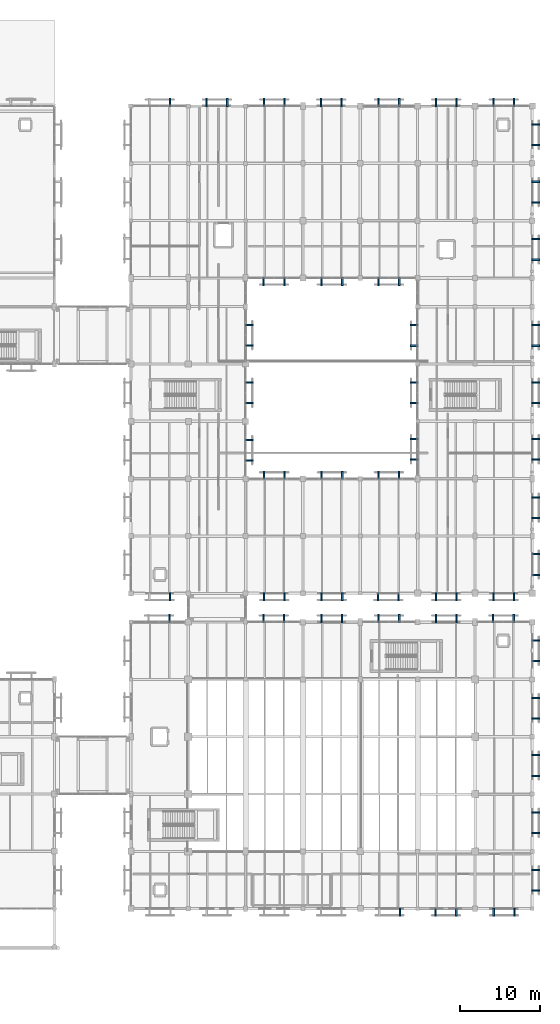
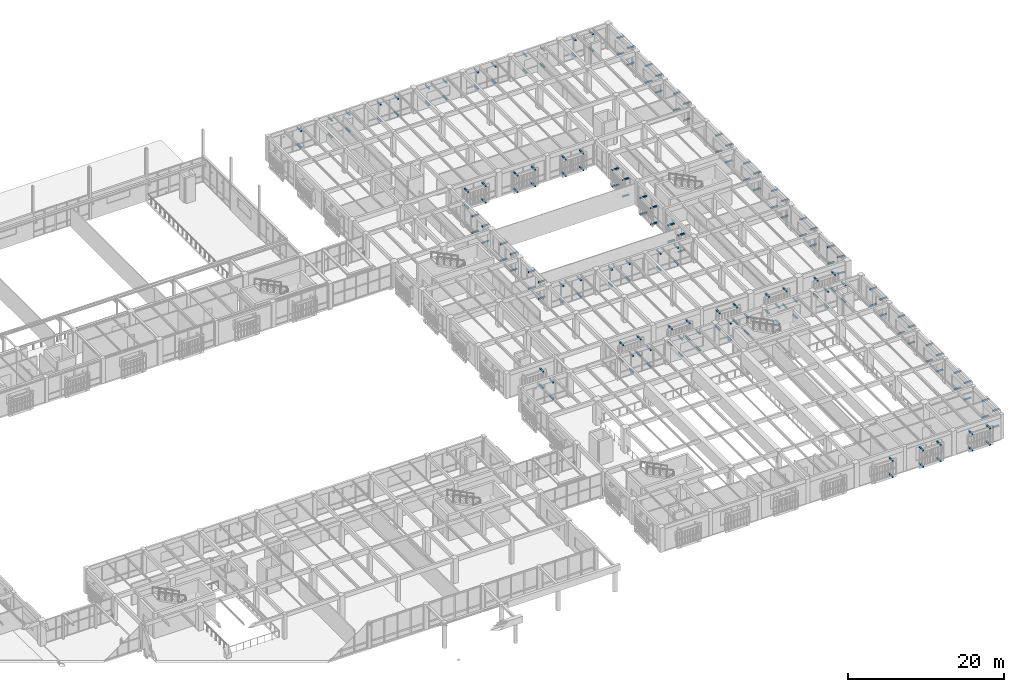
# One storey, part 144 of 170: 180 discrete accessories.
"""IFC4 building model written with IfcOpenShell, lengths in metres."""

from ifc_helpers import new_model, si_unit, direction, frame, origin, origin_2d, place, context, subcontext, project, spatial, rectangle, extrude, material, type_object, element, save


model = new_model("IFC4")

# Units and contexts
model_context = context("Model", 3, precision=1e-05, world=origin(), true_north=direction((0.0, 1.0)))
body_context = subcontext(model_context, "Body", "Model", "MODEL_VIEW")
ifc_project = project(units=[si_unit("LENGTHUNIT", "METRE"), si_unit("AREAUNIT", "SQUARE_METRE"), si_unit("VOLUMEUNIT", "CUBIC_METRE"), si_unit("PLANEANGLEUNIT", "RADIAN"), si_unit("MASSUNIT", "GRAM", prefix="KILO")], contexts=[model_context])

# Site, building, storey
site_placement = place(None, origin())
site = spatial("IfcSite", under=ifc_project, at=site_placement, CompositionType="ELEMENT")
building_placement = place(site_placement, origin())
building = spatial("IfcBuilding", under=site, at=building_placement, Name="Mazaris Harbour Polytechnic", CompositionType="ELEMENT")
storey_placement = place(building_placement, frame((0.0, 0.0, 5.39990234375)))
storey = spatial("IfcBuildingStorey", under=building, at=storey_placement, Name="L01", CompositionType="ELEMENT", Elevation=5.39990234375)

# Discrete accessories
ifc_material = material(Name="Stainless Steel S355", Category="steel")
discrete_accessory_type = type_object("IfcDiscreteAccessoryType", Name="Stainless Screen Outrigger Bracket 200x1020x200", PredefinedType="BRACKET", material=ifc_material)
for number, where, z_axis, x_axis, name in (
    (1, (156.1708984375, 6.760009765625, 0.16015625), (0.0, 0.0, 1.0), (-1.0, 0.0, 0.0), "Screen Outrigger Bracket 193"),
    (2, (156.1708984375, 6.760009765625, 2.68994140625), (0.0, 0.0, 1.0), (-1.0, 0.0, 0.0), "Screen Outrigger Bracket 194"),
    (3, (163.24609375, 6.760009765625, 0.16015625), (0.0, 0.0, 1.0), (-1.0, 0.0, 0.0), "Screen Outrigger Bracket 197"),
    (4, (163.24609375, 6.760009765625, 2.740234375), (0.0, 0.0, 1.0), (-1.0, 0.0, 0.0), "Screen Outrigger Bracket 198"),
    (5, (160.654052734375, 6.760009765625, 0.16015625), (0.0, 0.0, 1.0), (-1.0, 0.0, 0.0), "Screen Outrigger Bracket 199"),
    (6, (160.654052734375, 6.760009765625, 2.740234375), (0.0, 0.0, 1.0), (-1.0, 0.0, 0.0), "Screen Outrigger Bracket 200"),
    (7, (170.5458984375, 6.760009765625, 0.16015625), (0.0, 0.0, 1.0), (-1.0, 0.0, 0.0), "Screen Outrigger Bracket 201"),
    (8, (170.5458984375, 6.760009765625, 2.740234375), (0.0, 0.0, 1.0), (-1.0, 0.0, 0.0), "Screen Outrigger Bracket 202"),
    (9, (167.9541015625, 6.760009765625, 0.16015625), (0.0, 0.0, 1.0), (-1.0, 0.0, 0.0), "Screen Outrigger Bracket 203"),
    (10, (167.9541015625, 6.760009765625, 2.740234375), (0.0, 0.0, 1.0), (-1.0, 0.0, 0.0), "Screen Outrigger Bracket 204"),
    (11, (127.220947265625, 43.639892578125, 0.16015625), (0.0, 0.0, 1.0), (1.0, 0.0, 0.0), "Screen Outrigger Bracket 207"),
    (12, (127.220947265625, 43.639892578125, 2.740234375), (0.0, 0.0, 1.0), (1.0, 0.0, 0.0), "Screen Outrigger Bracket 208"),
    (13, (139.053955078125, 43.639892578125, 0.16015625), (0.0, 0.0, 1.0), (1.0, 0.0, 0.0), "Screen Outrigger Bracket 209"),
    (14, (139.053955078125, 43.639892578125, 2.740234375), (0.0, 0.0, 1.0), (1.0, 0.0, 0.0), "Screen Outrigger Bracket 210"),
    (15, (141.64599609375, 43.639892578125, 0.16015625), (0.0, 0.0, 1.0), (1.0, 0.0, 0.0), "Screen Outrigger Bracket 211"),
    (16, (141.64599609375, 43.639892578125, 2.740234375), (0.0, 0.0, 1.0), (1.0, 0.0, 0.0), "Screen Outrigger Bracket 212"),
    (17, (146.3291015625, 43.639892578125, 0.16015625), (0.0, 0.0, 1.0), (1.0, 0.0, 0.0), "Screen Outrigger Bracket 213"),
    (18, (146.3291015625, 43.639892578125, 2.740234375), (0.0, 0.0, 1.0), (1.0, 0.0, 0.0), "Screen Outrigger Bracket 214"),
    (19, (148.9208984375, 43.639892578125, 0.16015625), (0.0, 0.0, 1.0), (1.0, 0.0, 0.0), "Screen Outrigger Bracket 215"),
    (20, (148.9208984375, 43.639892578125, 2.740234375), (0.0, 0.0, 1.0), (1.0, 0.0, 0.0), "Screen Outrigger Bracket 216"),
    (21, (153.50390625, 43.639892578125, 0.16015625), (0.0, 0.0, 1.0), (1.0, 0.0, 0.0), "Screen Outrigger Bracket 217"),
    (22, (153.50390625, 43.639892578125, 2.740234375), (0.0, 0.0, 1.0), (1.0, 0.0, 0.0), "Screen Outrigger Bracket 218"),
    (23, (156.095947265625, 43.639892578125, 0.16015625), (0.0, 0.0, 1.0), (1.0, 0.0, 0.0), "Screen Outrigger Bracket 219"),
    (24, (156.095947265625, 43.639892578125, 2.740234375), (0.0, 0.0, 1.0), (1.0, 0.0, 0.0), "Screen Outrigger Bracket 220"),
    (25, (160.7041015625, 43.639892578125, 0.16015625), (0.0, 0.0, 1.0), (1.0, 0.0, 0.0), "Screen Outrigger Bracket 221"),
    (26, (160.7041015625, 43.639892578125, 2.68994140625), (0.0, 0.0, 1.0), (1.0, 0.0, 0.0), "Screen Outrigger Bracket 222"),
    (27, (163.2958984375, 43.639892578125, 0.16015625), (0.0, 0.0, 1.0), (1.0, 0.0, 0.0), "Screen Outrigger Bracket 223"),
    (28, (163.2958984375, 43.639892578125, 2.68994140625), (0.0, 0.0, 1.0), (1.0, 0.0, 0.0), "Screen Outrigger Bracket 224"),
    (29, (167.87890625, 43.639892578125, 0.16015625), (0.0, 0.0, 1.0), (1.0, 0.0, 0.0), "Screen Outrigger Bracket 225"),
    (30, (167.87890625, 43.639892578125, 2.68994140625), (0.0, 0.0, 1.0), (1.0, 0.0, 0.0), "Screen Outrigger Bracket 226"),
    (31, (170.470947265625, 43.639892578125, 0.16015625), (0.0, 0.0, 1.0), (1.0, 0.0, 0.0), "Screen Outrigger Bracket 227"),
    (32, (170.470947265625, 43.639892578125, 2.68994140625), (0.0, 0.0, 1.0), (1.0, 0.0, 0.0), "Screen Outrigger Bracket 228"),
    (33, (173.239990234375, 12.08349609375, 0.16015625), (0.0, 0.0, 1.0), (0.0, -1.0, 0.0), "Screen Outrigger Bracket 245"),
    (34, (173.239990234375, 12.08349609375, 2.740234375), (0.0, 0.0, 1.0), (0.0, -1.0, 0.0), "Screen Outrigger Bracket 246"),
    (35, (173.239990234375, 9.491455078125, 0.16015625), (0.0, 0.0, 1.0), (0.0, -1.0, 0.0), "Screen Outrigger Bracket 247"),
    (36, (173.239990234375, 9.491455078125, 2.740234375), (0.0, 0.0, 1.0), (0.0, -1.0, 0.0), "Screen Outrigger Bracket 248"),
    (37, (173.239990234375, 19.283447265625, 0.16015625), (0.0, 0.0, 1.0), (0.0, -1.0, 0.0), "Screen Outrigger Bracket 249"),
    (38, (173.239990234375, 19.283447265625, 2.740234375), (0.0, 0.0, 1.0), (0.0, -1.0, 0.0), "Screen Outrigger Bracket 250"),
    (39, (173.239990234375, 16.69140625, 0.16015625), (0.0, 0.0, 1.0), (0.0, -1.0, 0.0), "Screen Outrigger Bracket 251"),
    (40, (173.239990234375, 16.69140625, 2.740234375), (0.0, 0.0, 1.0), (0.0, -1.0, 0.0), "Screen Outrigger Bracket 252"),
    (41, (173.239990234375, 26.4833984375, 0.16015625), (0.0, 0.0, 1.0), (0.0, -1.0, 0.0), "Screen Outrigger Bracket 253"),
    (42, (173.239990234375, 26.4833984375, 2.68994140625), (0.0, 0.0, 1.0), (0.0, -1.0, 0.0), "Screen Outrigger Bracket 254"),
    (43, (173.239990234375, 23.8916015625, 0.16015625), (0.0, 0.0, 1.0), (0.0, -1.0, 0.0), "Screen Outrigger Bracket 255"),
    (44, (173.239990234375, 23.8916015625, 2.68994140625), (0.0, 0.0, 1.0), (0.0, -1.0, 0.0), "Screen Outrigger Bracket 256"),
    (45, (173.239990234375, 33.68359375, 0.16015625), (0.0, 0.0, 1.0), (0.0, -1.0, 0.0), "Screen Outrigger Bracket 257"),
    (46, (173.239990234375, 33.68359375, 2.740234375), (0.0, 0.0, 1.0), (0.0, -1.0, 0.0), "Screen Outrigger Bracket 258"),
    (47, (173.239990234375, 31.091552734375, 0.16015625), (0.0, 0.0, 1.0), (0.0, -1.0, 0.0), "Screen Outrigger Bracket 259"),
    (48, (173.239990234375, 31.091552734375, 2.740234375), (0.0, 0.0, 1.0), (0.0, -1.0, 0.0), "Screen Outrigger Bracket 260"),
    (49, (173.239990234375, 40.883544921875, 0.16015625), (0.0, 0.0, 1.0), (0.0, -1.0, 0.0), "Screen Outrigger Bracket 261"),
    (50, (173.239990234375, 40.883544921875, 2.740234375), (0.0, 0.0, 1.0), (0.0, -1.0, 0.0), "Screen Outrigger Bracket 262"),
    (51, (173.239990234375, 38.29150390625, 0.16015625), (0.0, 0.0, 1.0), (0.0, -1.0, 0.0), "Screen Outrigger Bracket 263"),
    (52, (173.239990234375, 38.29150390625, 2.740234375), (0.0, 0.0, 1.0), (0.0, -1.0, 0.0), "Screen Outrigger Bracket 264"),
    (53, (127.2958984375, 46.360107421875, 0.16015625), (0.0, 0.0, 1.0), (-1.0, 0.0, 0.0), "Screen Outrigger Bracket 1461"),
    (54, (127.2958984375, 46.360107421875, 2.740234375), (0.0, 0.0, 1.0), (-1.0, 0.0, 0.0), "Screen Outrigger Bracket 1462"),
    (55, (141.696044921875, 46.360107421875, 0.16015625), (0.0, 0.0, 1.0), (-1.0, 0.0, 0.0), "Screen Outrigger Bracket 1465"),
    (56, (141.696044921875, 46.360107421875, 2.740234375), (0.0, 0.0, 1.0), (-1.0, 0.0, 0.0), "Screen Outrigger Bracket 1466"),
    (57, (139.10400390625, 46.360107421875, 0.16015625), (0.0, 0.0, 1.0), (-1.0, 0.0, 0.0), "Screen Outrigger Bracket 1467"),
    (58, (139.10400390625, 46.360107421875, 2.740234375), (0.0, 0.0, 1.0), (-1.0, 0.0, 0.0), "Screen Outrigger Bracket 1468"),
    (59, (148.93359375, 46.360107421875, 0.16015625), (0.0, 0.0, 1.0), (-1.0, 0.0, 0.0), "Screen Outrigger Bracket 1469"),
    (60, (148.93359375, 46.360107421875, 2.740234375), (0.0, 0.0, 1.0), (-1.0, 0.0, 0.0), "Screen Outrigger Bracket 1470"),
    (61, (146.341552734375, 46.360107421875, 0.16015625), (0.0, 0.0, 1.0), (-1.0, 0.0, 0.0), "Screen Outrigger Bracket 1471"),
    (62, (146.341552734375, 46.360107421875, 2.740234375), (0.0, 0.0, 1.0), (-1.0, 0.0, 0.0), "Screen Outrigger Bracket 1472"),
    (63, (156.008544921875, 46.360107421875, 0.16015625), (0.0, 0.0, 1.0), (-1.0, 0.0, 0.0), "Screen Outrigger Bracket 1473"),
    (64, (156.008544921875, 46.360107421875, 2.740234375), (0.0, 0.0, 1.0), (-1.0, 0.0, 0.0), "Screen Outrigger Bracket 1474"),
    (65, (153.41650390625, 46.360107421875, 0.16015625), (0.0, 0.0, 1.0), (-1.0, 0.0, 0.0), "Screen Outrigger Bracket 1475"),
    (66, (153.41650390625, 46.360107421875, 2.740234375), (0.0, 0.0, 1.0), (-1.0, 0.0, 0.0), "Screen Outrigger Bracket 1476"),
    (67, (163.2958984375, 46.360107421875, 0.16015625), (0.0, 0.0, 1.0), (-1.0, 0.0, 0.0), "Screen Outrigger Bracket 1477"),
    (68, (163.2958984375, 46.360107421875, 2.740234375), (0.0, 0.0, 1.0), (-1.0, 0.0, 0.0), "Screen Outrigger Bracket 1478"),
    (69, (160.7041015625, 46.360107421875, 0.16015625), (0.0, 0.0, 1.0), (-1.0, 0.0, 0.0), "Screen Outrigger Bracket 1479"),
    (70, (160.7041015625, 46.360107421875, 2.740234375), (0.0, 0.0, 1.0), (-1.0, 0.0, 0.0), "Screen Outrigger Bracket 1480"),
    (71, (170.49609375, 46.360107421875, 0.16015625), (0.0, 0.0, 1.0), (-1.0, 0.0, 0.0), "Screen Outrigger Bracket 1481"),
    (72, (170.49609375, 46.360107421875, 2.740234375), (0.0, 0.0, 1.0), (-1.0, 0.0, 0.0), "Screen Outrigger Bracket 1482"),
    (73, (167.904052734375, 46.360107421875, 0.16015625), (0.0, 0.0, 1.0), (-1.0, 0.0, 0.0), "Screen Outrigger Bracket 1483"),
    (74, (167.904052734375, 46.360107421875, 2.740234375), (0.0, 0.0, 1.0), (-1.0, 0.0, 0.0), "Screen Outrigger Bracket 1484"),
    (75, (127.2958984375, 108.43994140625, 0.16015625), (0.0, 0.0, 1.0), (1.0, 0.0, 0.0), "Screen Outrigger Bracket 1487"),
    (76, (127.2958984375, 108.43994140625, 2.740234375), (0.0, 0.0, 1.0), (1.0, 0.0, 0.0), "Screen Outrigger Bracket 1488"),
    (77, (131.904052734375, 108.43994140625, 0.16015625), (0.0, 0.0, 1.0), (1.0, 0.0, 0.0), "Screen Outrigger Bracket 1489"),
    (78, (131.904052734375, 108.43994140625, 2.740234375), (0.0, 0.0, 1.0), (1.0, 0.0, 0.0), "Screen Outrigger Bracket 1490"),
    (79, (134.49609375, 108.43994140625, 0.16015625), (0.0, 0.0, 1.0), (1.0, 0.0, 0.0), "Screen Outrigger Bracket 1491"),
    (80, (134.49609375, 108.43994140625, 2.740234375), (0.0, 0.0, 1.0), (1.0, 0.0, 0.0), "Screen Outrigger Bracket 1492"),
    (81, (139.091552734375, 108.43994140625, 0.16015625), (0.0, 0.0, 1.0), (1.0, 0.0, 0.0), "Screen Outrigger Bracket 1493"),
    (82, (139.091552734375, 108.43994140625, 2.740234375), (0.0, 0.0, 1.0), (1.0, 0.0, 0.0), "Screen Outrigger Bracket 1494"),
    (83, (141.68359375, 108.43994140625, 0.16015625), (0.0, 0.0, 1.0), (1.0, 0.0, 0.0), "Screen Outrigger Bracket 1495"),
    (84, (141.68359375, 108.43994140625, 2.740234375), (0.0, 0.0, 1.0), (1.0, 0.0, 0.0), "Screen Outrigger Bracket 1496"),
    (85, (146.2666015625, 108.43994140625, 0.16015625), (0.0, 0.0, 1.0), (1.0, 0.0, 0.0), "Screen Outrigger Bracket 1497"),
    (86, (146.2666015625, 108.43994140625, 2.740234375), (0.0, 0.0, 1.0), (1.0, 0.0, 0.0), "Screen Outrigger Bracket 1498"),
    (87, (148.8583984375, 108.43994140625, 0.16015625), (0.0, 0.0, 1.0), (1.0, 0.0, 0.0), "Screen Outrigger Bracket 1499"),
    (88, (148.8583984375, 108.43994140625, 2.740234375), (0.0, 0.0, 1.0), (1.0, 0.0, 0.0), "Screen Outrigger Bracket 1500"),
    (89, (153.50390625, 108.43994140625, 0.16015625), (0.0, 0.0, 1.0), (1.0, 0.0, 0.0), "Screen Outrigger Bracket 1501"),
    (90, (153.50390625, 108.43994140625, 2.740234375), (0.0, 0.0, 1.0), (1.0, 0.0, 0.0), "Screen Outrigger Bracket 1502"),
    (91, (156.095947265625, 108.43994140625, 0.16015625), (0.0, 0.0, 1.0), (1.0, 0.0, 0.0), "Screen Outrigger Bracket 1503"),
    (92, (156.095947265625, 108.43994140625, 2.740234375), (0.0, 0.0, 1.0), (1.0, 0.0, 0.0), "Screen Outrigger Bracket 1504"),
    (93, (160.7041015625, 108.43994140625, 0.16015625), (0.0, 0.0, 1.0), (1.0, 0.0, 0.0), "Screen Outrigger Bracket 1505"),
    (94, (160.7041015625, 108.43994140625, 2.740234375), (0.0, 0.0, 1.0), (1.0, 0.0, 0.0), "Screen Outrigger Bracket 1506"),
    (95, (163.2958984375, 108.43994140625, 0.16015625), (0.0, 0.0, 1.0), (1.0, 0.0, 0.0), "Screen Outrigger Bracket 1507"),
    (96, (163.2958984375, 108.43994140625, 2.740234375), (0.0, 0.0, 1.0), (1.0, 0.0, 0.0), "Screen Outrigger Bracket 1508"),
    (97, (167.904052734375, 108.43994140625, 0.16015625), (0.0, 0.0, 1.0), (1.0, 0.0, 0.0), "Screen Outrigger Bracket 1509"),
    (98, (167.904052734375, 108.43994140625, 2.740234375), (0.0, 0.0, 1.0), (1.0, 0.0, 0.0), "Screen Outrigger Bracket 1510"),
    (99, (170.49609375, 108.43994140625, 0.16015625), (0.0, 0.0, 1.0), (1.0, 0.0, 0.0), "Screen Outrigger Bracket 1511"),
    (100, (170.49609375, 108.43994140625, 2.740234375), (0.0, 0.0, 1.0), (1.0, 0.0, 0.0), "Screen Outrigger Bracket 1512"),
    (101, (173.239990234375, 51.720947265625, 0.16015625), (0.0, 0.0, 1.0), (0.0, -1.0, 0.0), "Screen Outrigger Bracket 1541"),
    (102, (173.239990234375, 51.720947265625, 2.740234375), (0.0, 0.0, 1.0), (0.0, -1.0, 0.0), "Screen Outrigger Bracket 1542"),
    (103, (173.239990234375, 49.12890625, 0.16015625), (0.0, 0.0, 1.0), (0.0, -1.0, 0.0), "Screen Outrigger Bracket 1543"),
    (104, (173.239990234375, 49.12890625, 2.740234375), (0.0, 0.0, 1.0), (0.0, -1.0, 0.0), "Screen Outrigger Bracket 1544"),
    (105, (173.239990234375, 58.8583984375, 0.16015625), (0.0, 0.0, 1.0), (0.0, -1.0, 0.0), "Screen Outrigger Bracket 1545"),
    (106, (173.239990234375, 58.8583984375, 2.740234375), (0.0, 0.0, 1.0), (0.0, -1.0, 0.0), "Screen Outrigger Bracket 1546"),
    (107, (173.239990234375, 56.2666015625, 0.16015625), (0.0, 0.0, 1.0), (0.0, -1.0, 0.0), "Screen Outrigger Bracket 1547"),
    (108, (173.239990234375, 56.2666015625, 2.740234375), (0.0, 0.0, 1.0), (0.0, -1.0, 0.0), "Screen Outrigger Bracket 1548"),
    (109, (173.239990234375, 66.196044921875, 0.16015625), (0.0, 0.0, 1.0), (0.0, -1.0, 0.0), "Screen Outrigger Bracket 1549"),
    (110, (173.239990234375, 66.196044921875, 2.740234375), (0.0, 0.0, 1.0), (0.0, -1.0, 0.0), "Screen Outrigger Bracket 1550"),
    (111, (173.239990234375, 63.60400390625, 0.16015625), (0.0, 0.0, 1.0), (0.0, -1.0, 0.0), "Screen Outrigger Bracket 1551"),
    (112, (173.239990234375, 63.60400390625, 2.740234375), (0.0, 0.0, 1.0), (0.0, -1.0, 0.0), "Screen Outrigger Bracket 1552"),
    (113, (173.239990234375, 73.283447265625, 0.16015625), (0.0, 0.0, 1.0), (0.0, -1.0, 0.0), "Screen Outrigger Bracket 1553"),
    (114, (173.239990234375, 73.283447265625, 2.740234375), (0.0, 0.0, 1.0), (0.0, -1.0, 0.0), "Screen Outrigger Bracket 1554"),
    (115, (173.239990234375, 70.69140625, 0.16015625), (0.0, 0.0, 1.0), (0.0, -1.0, 0.0), "Screen Outrigger Bracket 1555"),
    (116, (173.239990234375, 70.69140625, 2.740234375), (0.0, 0.0, 1.0), (0.0, -1.0, 0.0), "Screen Outrigger Bracket 1556"),
    (117, (173.239990234375, 80.4833984375, 0.16015625), (0.0, 0.0, 1.0), (0.0, -1.0, 0.0), "Screen Outrigger Bracket 1557"),
    (118, (173.239990234375, 80.4833984375, 2.740234375), (0.0, 0.0, 1.0), (0.0, -1.0, 0.0), "Screen Outrigger Bracket 1558"),
    (119, (173.239990234375, 77.8916015625, 0.16015625), (0.0, 0.0, 1.0), (0.0, -1.0, 0.0), "Screen Outrigger Bracket 1559"),
    (120, (173.239990234375, 77.8916015625, 2.740234375), (0.0, 0.0, 1.0), (0.0, -1.0, 0.0), "Screen Outrigger Bracket 1560"),
    (121, (173.239990234375, 91.283447265625, 0.16015625), (0.0, 0.0, 1.0), (0.0, -1.0, 0.0), "Screen Outrigger Bracket 1561"),
    (122, (173.239990234375, 91.283447265625, 2.740234375), (0.0, 0.0, 1.0), (0.0, -1.0, 0.0), "Screen Outrigger Bracket 1562"),
    (123, (173.239990234375, 88.69140625, 0.16015625), (0.0, 0.0, 1.0), (0.0, -1.0, 0.0), "Screen Outrigger Bracket 1563"),
    (124, (173.239990234375, 88.69140625, 2.740234375), (0.0, 0.0, 1.0), (0.0, -1.0, 0.0), "Screen Outrigger Bracket 1564"),
    (125, (173.239990234375, 98.4833984375, 0.16015625), (0.0, 0.0, 1.0), (0.0, -1.0, 0.0), "Screen Outrigger Bracket 1565"),
    (126, (173.239990234375, 98.4833984375, 2.740234375), (0.0, 0.0, 1.0), (0.0, -1.0, 0.0), "Screen Outrigger Bracket 1566"),
    (127, (173.239990234375, 95.8916015625, 0.16015625), (0.0, 0.0, 1.0), (0.0, -1.0, 0.0), "Screen Outrigger Bracket 1567"),
    (128, (173.239990234375, 95.8916015625, 2.740234375), (0.0, 0.0, 1.0), (0.0, -1.0, 0.0), "Screen Outrigger Bracket 1568"),
    (129, (173.239990234375, 105.68359375, 0.16015625), (0.0, 0.0, 1.0), (0.0, -1.0, 0.0), "Screen Outrigger Bracket 1569"),
    (130, (173.239990234375, 105.68359375, 2.740234375), (0.0, 0.0, 1.0), (0.0, -1.0, 0.0), "Screen Outrigger Bracket 1570"),
    (131, (173.239990234375, 103.091552734375, 0.16015625), (0.0, 0.0, 1.0), (0.0, -1.0, 0.0), "Screen Outrigger Bracket 1571"),
    (132, (173.239990234375, 103.091552734375, 2.740234375), (0.0, 0.0, 1.0), (0.0, -1.0, 0.0), "Screen Outrigger Bracket 1572"),
    (133, (139.10400390625, 61.639892578125, 0.16015625), (0.0, 0.0, 1.0), (1.0, 0.0, 0.0), "Screen Outrigger Bracket 1573"),
    (134, (139.10400390625, 61.639892578125, 2.740234375), (0.0, 0.0, 1.0), (1.0, 0.0, 0.0), "Screen Outrigger Bracket 1574"),
    (135, (141.696044921875, 61.639892578125, 0.16015625), (0.0, 0.0, 1.0), (1.0, 0.0, 0.0), "Screen Outrigger Bracket 1575"),
    (136, (141.696044921875, 61.639892578125, 2.740234375), (0.0, 0.0, 1.0), (1.0, 0.0, 0.0), "Screen Outrigger Bracket 1576"),
    (137, (146.341552734375, 61.639892578125, 0.16015625), (0.0, 0.0, 1.0), (1.0, 0.0, 0.0), "Screen Outrigger Bracket 1577"),
    (138, (146.341552734375, 61.639892578125, 2.740234375), (0.0, 0.0, 1.0), (1.0, 0.0, 0.0), "Screen Outrigger Bracket 1578"),
    (139, (148.93359375, 61.639892578125, 0.16015625), (0.0, 0.0, 1.0), (1.0, 0.0, 0.0), "Screen Outrigger Bracket 1579"),
    (140, (148.93359375, 61.639892578125, 2.740234375), (0.0, 0.0, 1.0), (1.0, 0.0, 0.0), "Screen Outrigger Bracket 1580"),
    (141, (153.491455078125, 61.639892578125, 0.16015625), (0.0, 0.0, 1.0), (1.0, 0.0, 0.0), "Screen Outrigger Bracket 1581"),
    (142, (153.491455078125, 61.639892578125, 2.740234375), (0.0, 0.0, 1.0), (1.0, 0.0, 0.0), "Screen Outrigger Bracket 1582"),
    (143, (156.08349609375, 61.639892578125, 0.16015625), (0.0, 0.0, 1.0), (1.0, 0.0, 0.0), "Screen Outrigger Bracket 1583"),
    (144, (156.08349609375, 61.639892578125, 2.740234375), (0.0, 0.0, 1.0), (1.0, 0.0, 0.0), "Screen Outrigger Bracket 1584"),
    (145, (141.658447265625, 85.9599609375, 0.16015625), (0.0, 0.0, 1.0), (-1.0, 0.0, 0.0), "Screen Outrigger Bracket 1585"),
    (146, (141.658447265625, 85.9599609375, 2.740234375), (0.0, 0.0, 1.0), (-1.0, 0.0, 0.0), "Screen Outrigger Bracket 1586"),
    (147, (139.06640625, 85.9599609375, 0.16015625), (0.0, 0.0, 1.0), (-1.0, 0.0, 0.0), "Screen Outrigger Bracket 1587"),
    (148, (139.06640625, 85.9599609375, 2.740234375), (0.0, 0.0, 1.0), (-1.0, 0.0, 0.0), "Screen Outrigger Bracket 1588"),
    (149, (148.93359375, 85.9599609375, 0.16015625), (0.0, 0.0, 1.0), (-1.0, 0.0, 0.0), "Screen Outrigger Bracket 1589"),
    (150, (148.93359375, 85.9599609375, 2.740234375), (0.0, 0.0, 1.0), (-1.0, 0.0, 0.0), "Screen Outrigger Bracket 1590"),
    (151, (146.341552734375, 85.9599609375, 0.16015625), (0.0, 0.0, 1.0), (-1.0, 0.0, 0.0), "Screen Outrigger Bracket 1591"),
    (152, (146.341552734375, 85.9599609375, 2.740234375), (0.0, 0.0, 1.0), (-1.0, 0.0, 0.0), "Screen Outrigger Bracket 1592"),
    (153, (156.095947265625, 85.9599609375, 0.16015625), (0.0, 0.0, 1.0), (-1.0, 0.0, 0.0), "Screen Outrigger Bracket 1593"),
    (154, (156.095947265625, 85.9599609375, 2.740234375), (0.0, 0.0, 1.0), (-1.0, 0.0, 0.0), "Screen Outrigger Bracket 1594"),
    (155, (153.50390625, 85.9599609375, 0.16015625), (0.0, 0.0, 1.0), (-1.0, 0.0, 0.0), "Screen Outrigger Bracket 1595"),
    (156, (153.50390625, 85.9599609375, 2.740234375), (0.0, 0.0, 1.0), (-1.0, 0.0, 0.0), "Screen Outrigger Bracket 1596"),
    (157, (137.239990234375, 63.491455078125, 0.16015625), (0.0, 0.0, 1.0), (0.0, 1.0, 0.0), "Screen Outrigger Bracket 1597"),
    (158, (137.239990234375, 63.491455078125, 2.740234375), (0.0, 0.0, 1.0), (0.0, 1.0, 0.0), "Screen Outrigger Bracket 1598"),
    (159, (137.239990234375, 66.08349609375, 0.16015625), (0.0, 0.0, 1.0), (0.0, 1.0, 0.0), "Screen Outrigger Bracket 1599"),
    (160, (137.239990234375, 66.08349609375, 2.740234375), (0.0, 0.0, 1.0), (0.0, 1.0, 0.0), "Screen Outrigger Bracket 1600"),
    (161, (137.239990234375, 70.69140625, 0.16015625), (0.0, 0.0, 1.0), (0.0, 1.0, 0.0), "Screen Outrigger Bracket 1601"),
    (162, (137.239990234375, 70.69140625, 2.740234375), (0.0, 0.0, 1.0), (0.0, 1.0, 0.0), "Screen Outrigger Bracket 1602"),
    (163, (137.239990234375, 73.283447265625, 0.16015625), (0.0, 0.0, 1.0), (0.0, 1.0, 0.0), "Screen Outrigger Bracket 1603"),
    (164, (137.239990234375, 73.283447265625, 2.740234375), (0.0, 0.0, 1.0), (0.0, 1.0, 0.0), "Screen Outrigger Bracket 1604"),
    (165, (137.239990234375, 77.928955078125, 0.16015625), (0.0, 0.0, 1.0), (0.0, 1.0, 0.0), "Screen Outrigger Bracket 1605"),
    (166, (137.239990234375, 77.928955078125, 2.740234375), (0.0, 0.0, 1.0), (0.0, 1.0, 0.0), "Screen Outrigger Bracket 1606"),
    (167, (137.239990234375, 80.52099609375, 0.16015625), (0.0, 0.0, 1.0), (0.0, 1.0, 0.0), "Screen Outrigger Bracket 1607"),
    (168, (137.239990234375, 80.52099609375, 2.740234375), (0.0, 0.0, 1.0), (0.0, 1.0, 0.0), "Screen Outrigger Bracket 1608"),
    (169, (157.9599609375, 66.196044921875, 0.16015625), (0.0, 0.0, 1.0), (0.0, -1.0, 0.0), "Screen Outrigger Bracket 1609"),
    (170, (157.9599609375, 66.196044921875, 2.740234375), (0.0, 0.0, 1.0), (0.0, -1.0, 0.0), "Screen Outrigger Bracket 1610"),
    (171, (157.9599609375, 63.60400390625, 0.16015625), (0.0, 0.0, 1.0), (0.0, -1.0, 0.0), "Screen Outrigger Bracket 1611"),
    (172, (157.9599609375, 63.60400390625, 2.740234375), (0.0, 0.0, 1.0), (0.0, -1.0, 0.0), "Screen Outrigger Bracket 1612"),
    (173, (157.9599609375, 73.283447265625, 0.16015625), (0.0, 0.0, 1.0), (0.0, -1.0, 0.0), "Screen Outrigger Bracket 1613"),
    (174, (157.9599609375, 73.283447265625, 2.740234375), (0.0, 0.0, 1.0), (0.0, -1.0, 0.0), "Screen Outrigger Bracket 1614"),
    (175, (157.9599609375, 70.69140625, 0.16015625), (0.0, 0.0, 1.0), (0.0, -1.0, 0.0), "Screen Outrigger Bracket 1615"),
    (176, (157.9599609375, 70.69140625, 2.740234375), (0.0, 0.0, 1.0), (0.0, -1.0, 0.0), "Screen Outrigger Bracket 1616"),
    (177, (157.9599609375, 80.4833984375, 0.16015625), (0.0, 0.0, 1.0), (0.0, -1.0, 0.0), "Screen Outrigger Bracket 1617"),
    (178, (157.9599609375, 80.4833984375, 2.740234375), (0.0, 0.0, 1.0), (0.0, -1.0, 0.0), "Screen Outrigger Bracket 1618"),
    (179, (157.9599609375, 77.8916015625, 0.16015625), (0.0, 0.0, 1.0), (0.0, -1.0, 0.0), "Screen Outrigger Bracket 1619"),
    (180, (157.9599609375, 77.8916015625, 2.740234375), (0.0, 0.0, 1.0), (0.0, -1.0, 0.0), "Screen Outrigger Bracket 1620"),
):
    element("IfcDiscreteAccessory", number, at=place(storey_placement, frame(where, z_axis=z_axis, x_axis=x_axis)), inside=storey, type_object=discrete_accessory_type, Name=name, PredefinedType="BRACKET", context=body_context, shape_type="SweptSolid", body=[
        extrude(rectangle(XDim=0.199951171875, YDim=1.02001953125, at=origin_2d()), origin(), (0.0, 0.0, 1.0), 0.199951171875),
    ])

save(model, "model.ifc")
